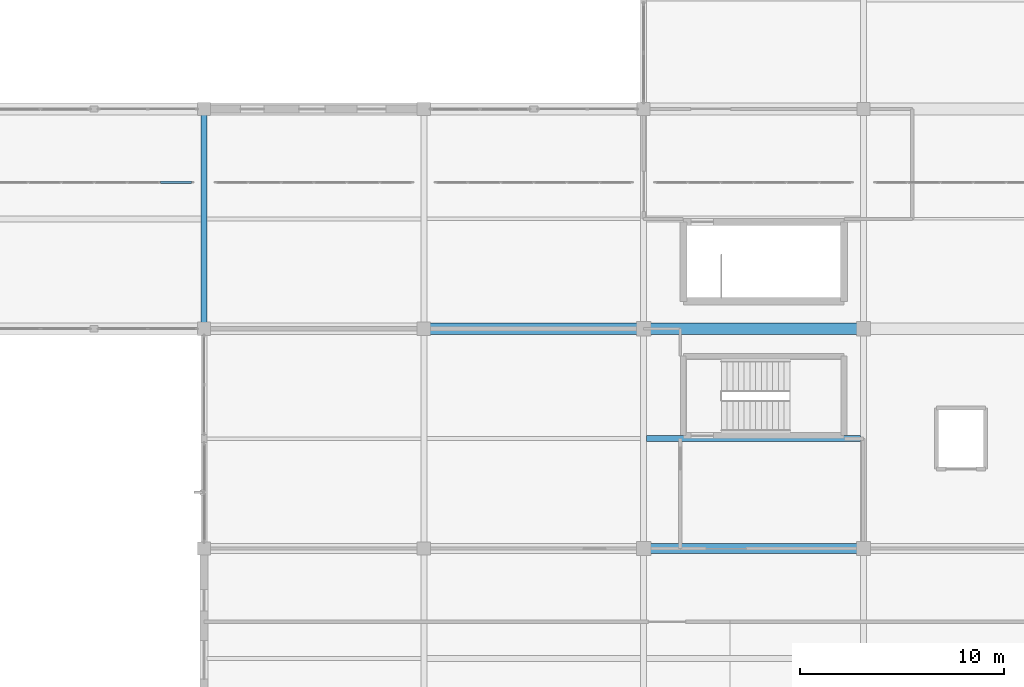
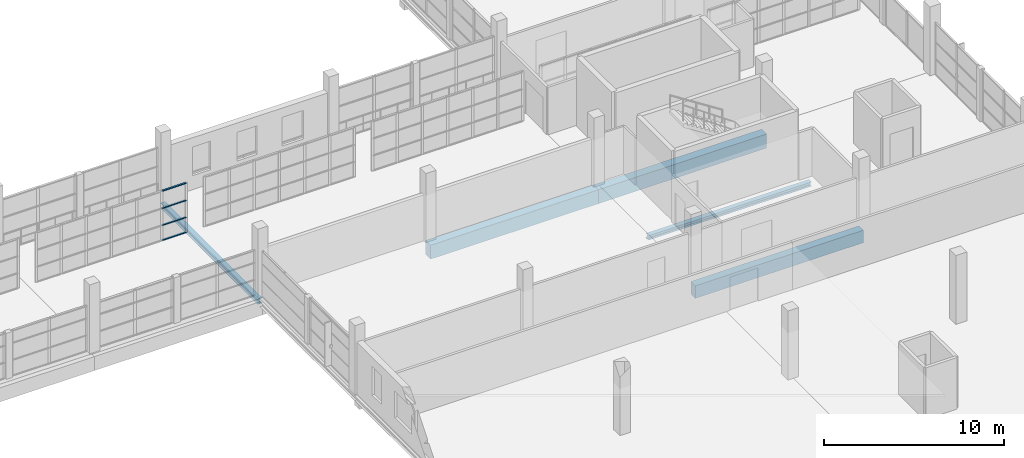
# One storey, part 58 of 142: 5 beams, 4 members, 1 element without a shape of its own.
"""IFC4 building model written with IfcOpenShell, lengths in metres."""

from ifc_helpers import new_model, si_unit, direction, frame, origin, origin_2d, place, context, subcontext, project, spatial, rectangle, i_section, extrude, material, material_profile, profile_set, type_object, element, aggregate, save


model = new_model("IFC4")

# Units and contexts
model_context = context("Model", 3, precision=1e-05, world=origin(), true_north=direction((0.0, 1.0)))
body_context = subcontext(model_context, "Body", "Model", "MODEL_VIEW")
ifc_project = project(units=[si_unit("LENGTHUNIT", "METRE"), si_unit("AREAUNIT", "SQUARE_METRE"), si_unit("VOLUMEUNIT", "CUBIC_METRE"), si_unit("PLANEANGLEUNIT", "RADIAN"), si_unit("MASSUNIT", "GRAM", prefix="KILO")], contexts=[model_context])

# Site, building, storey
site_placement = place(None, origin())
site = spatial("IfcSite", under=ifc_project, at=site_placement, CompositionType="ELEMENT")
building_placement = place(site_placement, origin())
building = spatial("IfcBuilding", under=site, at=building_placement, Name="Zwinboog Wholesale Market", CompositionType="ELEMENT")
storey_placement = place(building_placement, frame((0.0, 0.0, 5.39990234375)))
storey = spatial("IfcBuildingStorey", under=building, at=storey_placement, Name="L01", CompositionType="ELEMENT", Elevation=5.39990234375)

# Beams
ifc_material_1 = material(Name="Precast concrete C45/55", Category="concrete")
ifc_material_profile_1 = material_profile(ifc_material_1, rectangle(XDim=0.550048828125, YDim=0.949951171875, at=origin_2d()), Name="PC 550x950")
ifc_profile_set_1 = profile_set([ifc_material_profile_1], Name="Precast concrete C45/55")
beam_type_1 = type_object("IfcBeamType", Name="BT-02", PredefinedType="BEAM", material=ifc_profile_set_1)
for number, where, z_axis, x_axis, name in (
    (1, (140.39990234375, 43.199951171875, -0.806884765625), (1.0, 0.0, 0.0), (0.0, 1.0, 0.0), "BG-02 (BMG-L01-1404-0432-0472)"),
    (2, (151.199951171875, 43.199951171875, -0.806884765625), (1.0, 0.0, 0.0), (0.0, 1.0, 0.0), "BG-02 (BMG-L01-1512-0432-0473)"),
):
    element("IfcBeam", number, at=place(storey_placement, frame(where, z_axis=z_axis, x_axis=x_axis)), inside=storey, type_object=beam_type_1, Name=name, PredefinedType="BEAM", context=body_context, shape_type="SweptSolid", body=[
        extrude(rectangle(XDim=0.550048828125, YDim=0.949951171875, at=origin_2d()), origin(), (0.0, 0.0, 1.0), 10.800048828125),
    ])
ifc_material_profile_2 = material_profile(ifc_material_1, rectangle(XDim=0.5, YDim=0.85009765625, at=origin_2d()), Name="PC 500x850")
ifc_profile_set_2 = profile_set([ifc_material_profile_2], Name="Precast concrete C45/55")
beam_type_2 = type_object("IfcBeamType", Name="BT-03", PredefinedType="BEAM", material=ifc_profile_set_2)
beam_1_placement = place(storey_placement, frame((151.199951171875, 32.39990234375, -0.7568359375), z_axis=(1.0, 0.0, 0.0), x_axis=(0.0, 1.0, 0.0)))
element("IfcBeam", 3, at=beam_1_placement, inside=storey, type_object=beam_type_2, Name="BG-03 (BMG-L01-1512-0324-0455)", PredefinedType="BEAM", context=body_context, shape_type="SweptSolid", body=[
    extrude(rectangle(XDim=0.5, YDim=0.85009765625, at=origin_2d()), origin(), (0.0, 0.0, 1.0), 10.800048828125),
])
ifc_material_2 = material(Name="Steel S355", Category="steel")
ifc_material_profile_3 = material_profile(ifc_material_2, i_section(OverallWidth=0.300048828125, OverallDepth=0.35009765625, WebThickness=0.010009765625, FlangeThickness=0.017578125, FilletRadius=0.027099609375, at=origin_2d()), Name="HEA 360")
ifc_profile_set_3 = profile_set([ifc_material_profile_3], Name="Steel S355")
beam_type_3 = type_object("IfcBeamType", Name="BT-17", PredefinedType="BEAM", material=ifc_profile_set_3)
beam_2_placement = place(storey_placement, frame((129.60009765625, 43.199951171875, -0.5068359375), z_axis=(0.0, 1.0, 0.0), x_axis=(-1.0, 0.0, 0.0)))
element("IfcBeam", 4, at=beam_2_placement, inside=storey, type_object=beam_type_3, Name="SB-04 (BMG-L01-1296-0432-0707)", PredefinedType="BEAM", context=body_context, shape_type="SweptSolid", body=[
    extrude(i_section(OverallWidth=0.300048828125, OverallDepth=0.35009765625, WebThickness=0.010009765625, FlangeThickness=0.017578125, FilletRadius=0.027099609375, at=origin_2d()), origin(), (0.0, 0.0, 1.0), 10.800048828125),
])
ifc_material_profile_4 = material_profile(ifc_material_2, i_section(OverallWidth=0.300048828125, OverallDepth=0.2900390625, WebThickness=0.008544921875, FlangeThickness=0.013916015625, FilletRadius=0.027099609375, at=origin_2d()), Name="HEA 300")
ifc_profile_set_4 = profile_set([ifc_material_profile_4], Name="Steel S355")
beam_type_4 = type_object("IfcBeamType", Name="BT-18", PredefinedType="JOIST", material=ifc_profile_set_4)
beam_3_placement = place(storey_placement, frame((151.35009765625, 37.800048828125, -0.476806640625), z_axis=(1.0, 0.0, 0.0), x_axis=(0.0, 1.0, 0.0)))
element("IfcBeam", 5, at=beam_3_placement, inside=storey, type_object=beam_type_4, Name="SJ-01 (BMG-L01-1514-0378-0913)", PredefinedType="JOIST", context=body_context, shape_type="SweptSolid", body=[
    extrude(i_section(OverallWidth=0.300048828125, OverallDepth=0.2900390625, WebThickness=0.008544921875, FlangeThickness=0.013916015625, FilletRadius=0.027099609375, at=origin_2d()), origin(), (0.0, 0.0, 1.0), 10.5),
])

# Curtain wall, members
ifc_material_3 = material(Name="Aluminium thermally broken curtain wall", Category="aluminium")
curtain_wall_type = type_object("IfcCurtainWallType", Name="CWT-INT-STALL", PredefinedType="USERDEFINED", material=ifc_material_3)
curtain_wall_placement = place(storey_placement, origin())
curtain_wall = element("IfcCurtainWall", 6, at=curtain_wall_placement, inside=storey, type_object=curtain_wall_type, Name="CW-07 (CW-STL-230)", ObjectType="STOREFRONT_GLAZING", PredefinedType="USERDEFINED")
ifc_material_4 = material(Name="Aluminium EN AW-6060", Category="aluminium")
ifc_material_profile_5 = material_profile(ifc_material_4, rectangle(XDim=0.110107421875, YDim=0.06005859375, at=origin_2d()), Name="AL 60x110")
ifc_profile_set_5 = profile_set([ifc_material_profile_5], Name="Aluminium EN AW-6060")
member_type = type_object("IfcMemberType", Name="CWT-INT-60x100", PredefinedType="USERDEFINED", material=ifc_profile_set_5)
member_1_placement = place(storey_placement, frame((127.46337890625, 50.39990234375, 0.030029296875), z_axis=(1.0, 0.0, 0.0), x_axis=(0.0, 1.0, 0.0)))
member_1 = element("IfcMember", 7, at=member_1_placement, type_object=member_type, Name="CW-07 transom 6.1", ObjectType="TRANSOM", PredefinedType="USERDEFINED", context=body_context, shape_type="SweptSolid", body=[
    extrude(rectangle(XDim=0.110107421875, YDim=0.06005859375, at=origin_2d()), origin(), (0.0, 0.0, 1.0), 1.526611328125),
])
member_2_placement = place(storey_placement, frame((127.46337890625, 50.39990234375, 1.050048828125), z_axis=(1.0, 0.0, 0.0), x_axis=(0.0, 1.0, 0.0)))
member_2 = element("IfcMember", 8, at=member_2_placement, type_object=member_type, Name="CW-07 transom 6.2", ObjectType="TRANSOM", PredefinedType="USERDEFINED", context=body_context, shape_type="SweptSolid", body=[
    extrude(rectangle(XDim=0.110107421875, YDim=0.06005859375, at=origin_2d()), origin(), (0.0, 0.0, 1.0), 1.526611328125),
])
member_3_placement = place(storey_placement, frame((127.46337890625, 50.39990234375, 2.2001953125), z_axis=(1.0, 0.0, 0.0), x_axis=(0.0, 1.0, 0.0)))
member_3 = element("IfcMember", 9, at=member_3_placement, type_object=member_type, Name="CW-07 transom 6.3", ObjectType="TRANSOM", PredefinedType="USERDEFINED", context=body_context, shape_type="SweptSolid", body=[
    extrude(rectangle(XDim=0.110107421875, YDim=0.06005859375, at=origin_2d()), origin(), (0.0, 0.0, 1.0), 1.526611328125),
])
member_4_placement = place(storey_placement, frame((127.46337890625, 50.39990234375, 3.3701171875), z_axis=(1.0, 0.0, 0.0), x_axis=(0.0, 1.0, 0.0)))
member_4 = element("IfcMember", 10, at=member_4_placement, type_object=member_type, Name="CW-07 transom 6.4", ObjectType="TRANSOM", PredefinedType="USERDEFINED", context=body_context, shape_type="SweptSolid", body=[
    extrude(rectangle(XDim=0.110107421875, YDim=0.06005859375, at=origin_2d()), origin(), (0.0, 0.0, 1.0), 1.526611328125),
])
aggregate(curtain_wall, [member_1, member_2, member_3, member_4])

save(model, "model.ifc")
